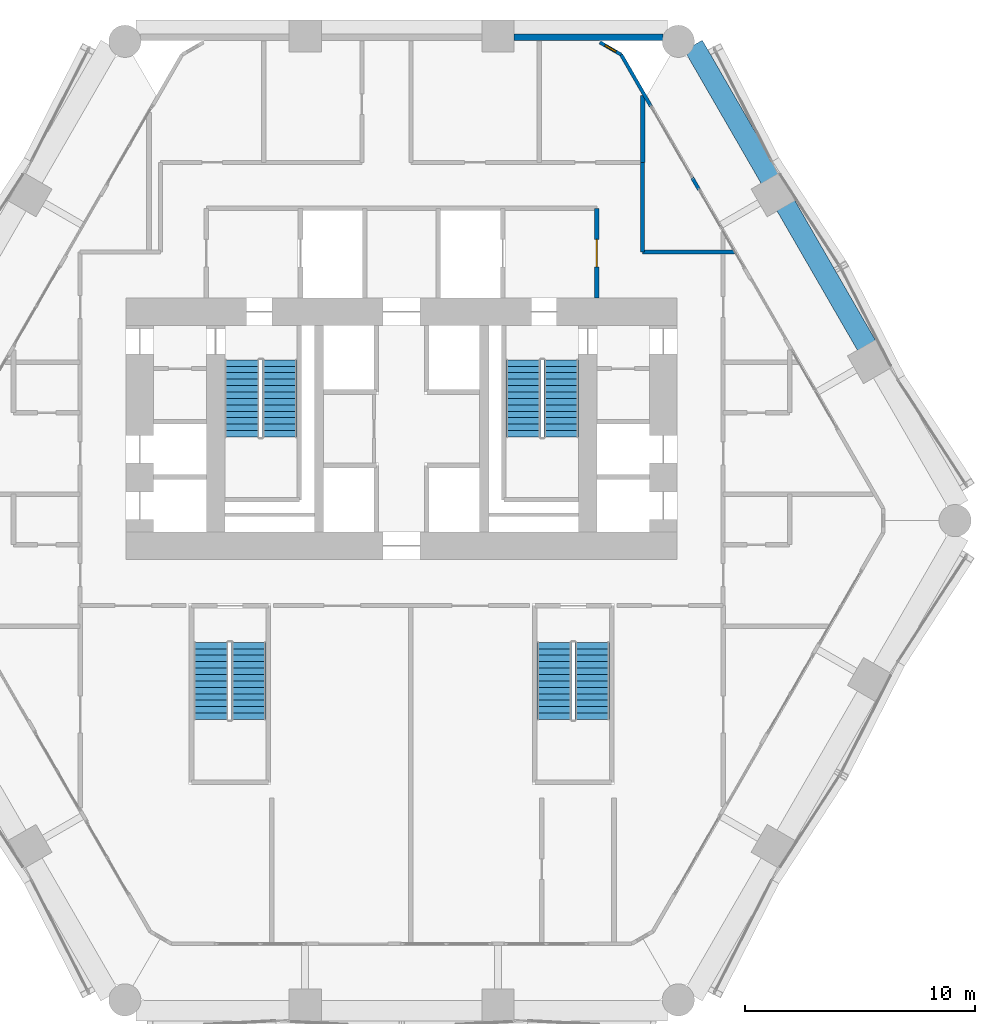
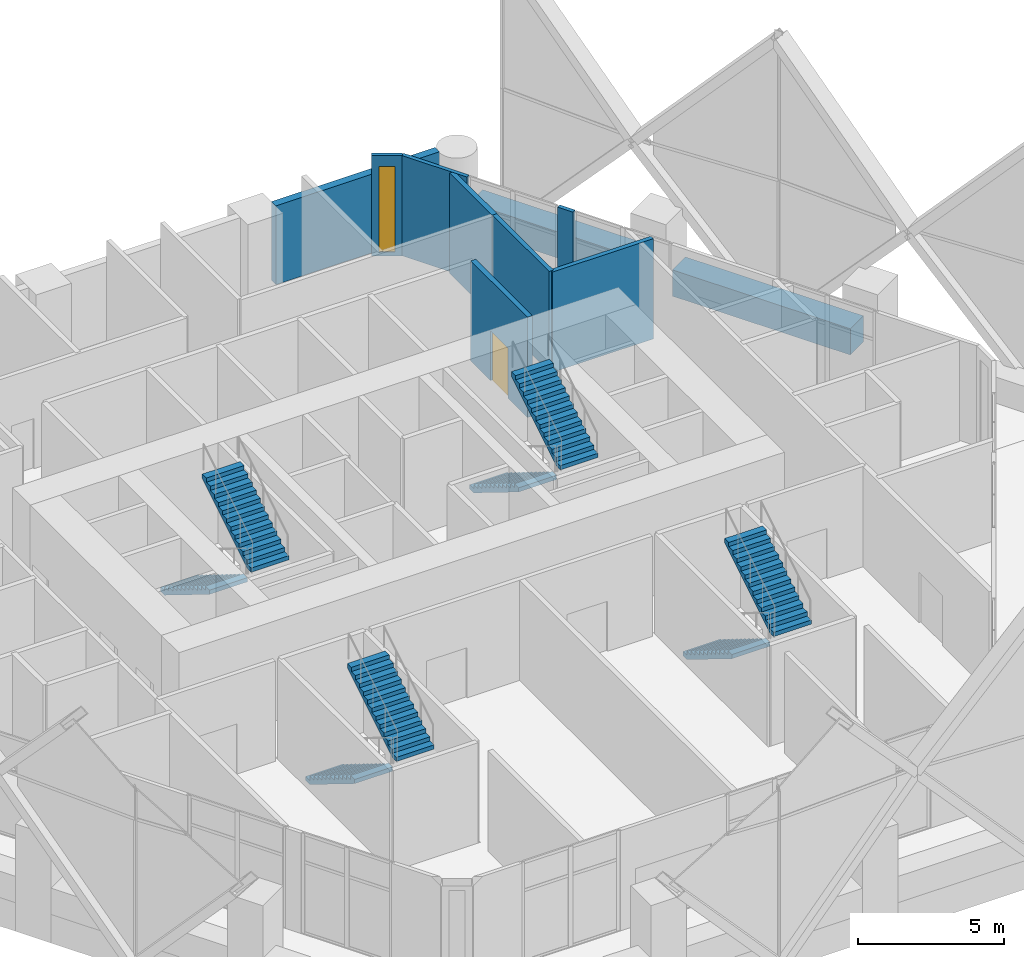
# One storey, part 40 of 46: 10 walls, 8 stair flights, 1 door, 1 window, 2 openings, 4 elements without a shape of their own.
"""IFC4 building model written with IfcOpenShell, lengths in metres."""

from ifc_helpers import new_model, si_unit, direction, frame, frame_2d, origin, place, context, subcontext, project, spatial, polyline, rectangle, outline, extrude, material, layer, layer_set, type_object, element, fill, aggregate, save


model = new_model("IFC4")

# Units and contexts
model_context = context("Model", 3, precision=1e-05, world=origin(), true_north=direction((0.0, 1.0)))
body_context = subcontext(model_context, "Body", "Model", "MODEL_VIEW")
ifc_project = project(units=[si_unit("LENGTHUNIT", "METRE"), si_unit("AREAUNIT", "SQUARE_METRE"), si_unit("VOLUMEUNIT", "CUBIC_METRE"), si_unit("PLANEANGLEUNIT", "RADIAN"), si_unit("MASSUNIT", "GRAM", prefix="KILO")], contexts=[model_context])

# Site, building, storey
site_placement = place(None, origin())
site = spatial("IfcSite", under=ifc_project, at=site_placement, CompositionType="ELEMENT")
building_placement = place(site_placement, origin())
building = spatial("IfcBuilding", under=site, at=building_placement, Name="Ostrander Bayou Hotel Tower", CompositionType="ELEMENT")
storey_placement = place(building_placement, frame((0.0, 0.0, 23.5)))
storey = spatial("IfcBuildingStorey", under=building, at=storey_placement, Name="L05", CompositionType="ELEMENT", Elevation=23.5)

# Walls
ifc_material_1 = material(Name="Aluminium framed insulated wall", Category="aluminium")
ifc_layer_1 = layer(ifc_material_1, 0.14990234375)
ifc_layer_set_1 = layer_set([ifc_layer_1], Name="GW1 glass-line wall 150 mm")
wall_type_1 = type_object("IfcWallType", Name="GW1 glass-line wall 150 mm", PredefinedType="SOLIDWALL", material=ifc_layer_set_1)
wall_1_placement = place(storey_placement, frame((10.8564453125, 18.0458984375, 0.0), z_axis=(0.0, 0.0, 1.0), x_axis=(-0.499945140294, 0.866057074734, 0.0)))
element("IfcWall", 1, at=wall_1_placement, inside=storey, type_object=wall_type_1, Name="GW1 L05 NE end 2", PredefinedType="SOLIDWALL", context=body_context, shape_type="SweptSolid", body=[
    extrude(rectangle(XDim=2.593994140625, YDim=0.14990234375, at=frame_2d((1.296875, 0.0))), origin(), (0.0, 0.0, 1.0), 4.199951171875),
])
wall_2_placement = place(storey_placement, frame((12.95654296875, 14.40869140625, 0.0), z_axis=(0.0, 0.0, 1.0), x_axis=(-0.50012165622, 0.865955154139, 0.0)))
element("IfcWall", 2, at=wall_2_placement, inside=storey, type_object=wall_type_1, Name="GW1 L05 NE pier 5", PredefinedType="SOLIDWALL", context=body_context, shape_type="SweptSolid", body=[
    extrude(rectangle(XDim=0.599853515625, YDim=0.14990234375, at=frame_2d((0.2998046875, 0.0))), origin(), (0.0, 0.0, 1.0), 4.199951171875),
])

# Wall, opening, window
wall_3_placement = place(storey_placement, frame((9.5595703125, 20.29248046875, 0.0), z_axis=(0.0, 0.0, 1.0), x_axis=(-0.866048165231, 0.499960573946, 0.0)))
wall_3 = element("IfcWall", 3, at=wall_3_placement, inside=storey, type_object=wall_type_1, Name="GW1 L05 corner 6", PredefinedType="SOLIDWALL", context=body_context, shape_type="SweptSolid", body=[
    extrude(rectangle(XDim=1.06494140625, YDim=0.14990234375, at=frame_2d((0.532470703125, 0.0))), origin(), (0.0, 0.0, 1.0), 4.199951171875),
])
opening_1_placement = place(wall_3_placement, frame((0.257568359375, 0.0, 0.14990234375)))
opening_1 = element("IfcOpeningElement", 4, at=opening_1_placement, cuts=wall_3, Name="Opening W19", PredefinedType="OPENING", context=body_context, shape_type="SweptSolid", body=[
    extrude(rectangle(XDim=0.550048828125, YDim=3.60009765625, at=frame_2d((0.27490234375, 1.800048828125))), frame((0.0, 0.074951171875, 0.0), z_axis=(0.0, -1.0, 0.0), x_axis=(1.0, 0.0, 0.0)), (0.0, 0.0, 1.0), 0.14990234375),
])
ifc_material_2 = material(Name="Aluminium and clear glass", Category="aluminium")
window_type = type_object("IfcWindowType", Name="W19 corner window 550 mm", PartitioningType="SINGLE_PANEL", PredefinedType="WINDOW", material=ifc_material_2)
window_placement = place(opening_1_placement, origin())
window = element("IfcWindow", 5, at=window_placement, inside=storey, type_object=window_type, Name="W19 L05 corner 6", OverallHeight=3.60009765625, OverallWidth=0.550048828125, PartitioningType="SINGLE_PANEL", PredefinedType="WINDOW", context=body_context, shape_type="SweptSolid", body=[
    extrude(rectangle(XDim=0.550048828125, YDim=3.60009765625, at=frame_2d((0.27490234375, 1.800048828125))), frame((0.0, 0.030029296875, 0.0), z_axis=(0.0, -1.0, 0.0), x_axis=(1.0, 0.0, 0.0)), (0.0, 0.0, 1.0), 0.06005859375),
])
fill(opening_1, window)

# Walls
ifc_material_3 = material(Name="Reconstituted stone on masonry backing", Category="masonry")
ifc_layer_2 = layer(ifc_material_3, 0.300048828125)
ifc_layer_set_2 = layer_set([ifc_layer_2], Name="NW1 north stone wall 300 mm")
wall_type_2 = type_object("IfcWallType", Name="NW1 north stone wall 300 mm", PredefinedType="SOLIDWALL", material=ifc_layer_set_2)
wall_4_placement = place(storey_placement, frame((11.376708984375, 21.050048828125, 0.0), z_axis=(0.0, 0.0, 1.0), x_axis=(-1.0, 0.0, 0.0)))
element("IfcWall", 6, at=wall_4_placement, inside=storey, type_object=wall_type_2, Name="NW1 L05 N-1", PredefinedType="SOLIDWALL", context=body_context, shape_type="SweptSolid", body=[
    extrude(rectangle(XDim=6.481201171875, YDim=0.300048828125, at=frame_2d((3.24072265625, 0.0))), origin(), (0.0, 0.0, 1.0), 3.300048828125),
])
ifc_material_4 = material(Name="Concrete f'c 40 MPa", Category="concrete")
ifc_layer_3 = layer(ifc_material_4, 0.89990234375)
ifc_layer_set_3 = layer_set([ifc_layer_3], Name="PA1 stone-faced parapet 900 mm")
wall_type_3 = type_object("IfcWallType", Name="PA1 stone-faced parapet 900 mm", PredefinedType="PARAPET", material=ifc_layer_set_3)
wall_5_placement = place(storey_placement, frame((20.252197265625, 7.621826171875, 0.0), z_axis=(0.0, 0.0, 1.0), x_axis=(-0.499997206141, 0.866027016814, 0.0)))
element("IfcWall", 7, at=wall_5_placement, inside=storey, type_object=wall_type_3, Name="PA1 L05 NE-2", PredefinedType="PARAPET", context=body_context, shape_type="SweptSolid", body=[
    extrude(rectangle(XDim=7.05078125, YDim=0.89990234375, at=frame_2d((3.525390625, 0.0))), origin(), (0.0, 0.0, 1.0), 1.10009765625),
])
wall_6_placement = place(storey_placement, frame((16.056884765625, 14.888671875, 0.0), z_axis=(0.0, 0.0, 1.0), x_axis=(-0.500005133765, 0.866022439784, 0.0)))
element("IfcWall", 8, at=wall_6_placement, inside=storey, type_object=wall_type_3, Name="PA1 L05 NE-3", PredefinedType="PARAPET", context=body_context, shape_type="SweptSolid", body=[
    extrude(rectangle(XDim=6.70361328125, YDim=0.89990234375, at=frame_2d((3.351806640625, 0.0))), origin(), (0.0, 0.0, 1.0), 1.10009765625),
])
ifc_material_5 = material(Name="Gypsum board partition", Category="finish")
ifc_layer_4 = layer(ifc_material_5, 0.199951171875)
ifc_layer_set_4 = layer_set([ifc_layer_4], Name="PT3 demising wall 200 mm acoustic double stud, 1 hour")
wall_type_4 = type_object("IfcWallType", Name="PT3 demising wall 200 mm acoustic double stud, 1 hour", PredefinedType="PARTITIONING", material=ifc_layer_set_4)
wall_7_placement = place(storey_placement, frame((10.5, 15.60009765625, 0.0), z_axis=(0.0, 0.0, 1.0), x_axis=(0.0, 1.0, 0.0)))
element("IfcWall", 9, at=wall_7_placement, inside=storey, type_object=wall_type_4, Name="sw:L05:034", PredefinedType="PARTITIONING", context=body_context, shape_type="SweptSolid", body=[
    extrude(rectangle(XDim=2.908447265625, YDim=0.199951171875, at=frame_2d((1.4541015625, 0.0))), origin(), (0.0, 0.0, 1.0), 4.199951171875),
])
ifc_material_6 = material(Name="Gypsum board partition", Category="finish")
ifc_layer_5 = layer(ifc_material_6, 0.175048828125)
ifc_layer_set_5 = layer_set([ifc_layer_5], Name="PT4 corridor wall 175 mm, 1 hour")
wall_type_5 = type_object("IfcWallType", Name="PT4 corridor wall 175 mm, 1 hour", PredefinedType="PARTITIONING", material=ifc_layer_set_5)
wall_8_placement = place(storey_placement, frame((10.5, 11.699951171875, 0.0), z_axis=(0.0, 0.0, 1.0), x_axis=(1.0, 0.0, 0.0)))
element("IfcWall", 10, at=wall_8_placement, inside=storey, type_object=wall_type_5, Name="sw:L05:005", PredefinedType="PARTITIONING", context=body_context, shape_type="SweptSolid", body=[
    extrude(rectangle(XDim=3.999267578125, YDim=0.175048828125, at=frame_2d((1.99951171875, 0.0))), origin(), (0.0, 0.0, 1.0), 4.199951171875),
])
wall_9_placement = place(storey_placement, frame((10.5, 11.699951171875, 0.0), z_axis=(0.0, 0.0, 1.0), x_axis=(0.0, 1.0, 0.0)))
element("IfcWall", 11, at=wall_9_placement, inside=storey, type_object=wall_type_5, Name="sw:L05:012", PredefinedType="PARTITIONING", context=body_context, shape_type="SweptSolid", body=[
    extrude(rectangle(XDim=3.900146484375, YDim=0.175048828125, at=frame_2d((1.9501953125, 0.0))), origin(), (0.0, 0.0, 1.0), 4.199951171875),
])

# Wall, opening, door
ifc_material_7 = material(Name="Masonry block", Category="masonry")
ifc_layer_6 = layer(ifc_material_7, 0.199951171875)
ifc_layer_set_6 = layer_set([ifc_layer_6], Name="PT5 stair enclosure wall 200 mm masonry, 2 hour")
wall_type_6 = type_object("IfcWallType", Name="PT5 stair enclosure wall 200 mm masonry, 2 hour", PredefinedType="PARTITIONING", material=ifc_layer_set_6)
wall_10_placement = place(storey_placement, frame((8.5, 9.699951171875, 0.0), z_axis=(0.0, 0.0, 1.0), x_axis=(0.0, 1.0, 0.0)))
wall_10 = element("IfcWall", 12, at=wall_10_placement, inside=storey, type_object=wall_type_6, Name="cs:L05:025", PredefinedType="PARTITIONING", context=body_context, shape_type="SweptSolid", body=[
    extrude(rectangle(XDim=3.900146484375, YDim=0.199951171875, at=frame_2d((1.9501953125, 0.0))), origin(), (0.0, 0.0, 1.0), 4.199951171875),
])
opening_2_placement = place(wall_10_placement, frame((1.35009765625, 0.0, 0.0)))
opening_2 = element("IfcOpeningElement", 13, at=opening_2_placement, cuts=wall_10, Name="Opening T05-012", PredefinedType="OPENING", context=body_context, shape_type="SweptSolid", body=[
    extrude(rectangle(XDim=1.199951171875, YDim=2.10009765625, at=frame_2d((0.60009765625, 1.050048828125))), frame((0.0, 0.10009765625, 0.0), z_axis=(0.0, -1.0, 0.0), x_axis=(1.0, 0.0, 0.0)), (0.0, 0.0, 1.0), 0.199951171875),
])
ifc_material_8 = material(Name="Timber door leaf", Category="wood")
door_type = type_object("IfcDoorType", Name="D7 lobby door 1200 x 2100 mm, 1 hour", OperationType="SINGLE_SWING_LEFT", PredefinedType="DOOR", material=ifc_material_8)
door_placement = place(opening_2_placement, origin())
door = element("IfcDoor", 14, at=door_placement, inside=storey, type_object=door_type, Name="dr:L05:012", OperationType="SINGLE_SWING_LEFT", OverallHeight=2.10009765625, OverallWidth=1.199951171875, PredefinedType="DOOR", context=body_context, shape_type="SweptSolid", body=[
    extrude(rectangle(XDim=1.199951171875, YDim=2.10009765625, at=frame_2d((0.60009765625, 1.050048828125))), frame((0.0, 0.02490234375, 0.0), z_axis=(0.0, -1.0, 0.0), x_axis=(1.0, 0.0, 0.0)), (0.0, 0.0, 1.0), 0.050048828125),
])
fill(opening_2, door)

# Stair, stair flights
ifc_material_9 = material(Name="Concrete f'c 45 MPa", Category="concrete")
stair_type = type_object("IfcStairType", Name="ST1 exit stair 1500 mm f'c 45 MPa", PredefinedType="HALF_TURN_STAIR", material=ifc_material_9)
stair_1_placement = place(storey_placement, origin())
stair_1 = element("IfcStair", 15, at=stair_1_placement, inside=storey, type_object=stair_type, Name="L05 exit stair A", PredefinedType="HALF_TURN_STAIR")
ifc_material_10 = material(Name="Concrete f'c 45 MPa", Category="concrete")
stair_flight_type = type_object("IfcStairFlightType", Name="SF1 stair flight 1500 mm f'c 45 MPa", PredefinedType="STRAIGHT", material=ifc_material_10)
stair_flight_1_placement = place(storey_placement, frame((-6.949951171875, 7.0, 0.0), z_axis=(0.0, 0.0, 1.0), x_axis=(0.0, -1.0, 0.0)))
stair_flight_1 = element("IfcStairFlight", 16, at=stair_flight_1_placement, type_object=stair_flight_type, Name="STA flight 1", NumberOfRisers=13, NumberOfTreads=12, PredefinedType="STRAIGHT", RiserHeight=0.173076923, TreadLength=0.28, context=body_context, shape_type="SweptSolid", body=[
    extrude(outline(polyline([(0.0, 0.0), (0.0, 0.173095703125), (0.280029296875, 0.173095703125), (0.280029296875, 0.34619140625), (0.56005859375, 0.34619140625), (0.56005859375, 0.519287109375), (0.840087890625, 0.519287109375), (0.840087890625, 0.6923828125), (1.1201171875, 0.6923828125), (1.1201171875, 0.865478515625), (1.39990234375, 0.865478515625), (1.39990234375, 1.03857421875), (1.679931640625, 1.03857421875), (1.679931640625, 1.21142578125), (1.9599609375, 1.21142578125), (1.9599609375, 1.384521484375), (2.239990234375, 1.384521484375), (2.239990234375, 1.5576171875), (2.52001953125, 1.5576171875), (2.52001953125, 1.730712890625), (2.800048828125, 1.730712890625), (2.800048828125, 1.90380859375), (3.080078125, 1.90380859375), (3.080078125, 2.076904296875), (3.360107421875, 2.076904296875), (3.360107421875, 2.25), (3.360107421875, 1.900634765625), (0.28515625, 0.0), (0.0, 0.0)])), frame((0.0, 0.75, 0.0), z_axis=(0.0, -1.0, 0.0), x_axis=(1.0, 0.0, 0.0)), (0.0, 0.0, 1.0), 1.5),
])
stair_flight_2_placement = place(storey_placement, frame((-5.300048828125, 3.639892578125, 2.25), z_axis=(0.0, 0.0, 1.0), x_axis=(0.0, 1.0, 0.0)))
stair_flight_2 = element("IfcStairFlight", 17, at=stair_flight_2_placement, type_object=stair_flight_type, Name="STA flight 2", NumberOfRisers=13, NumberOfTreads=12, PredefinedType="STRAIGHT", RiserHeight=0.173076923, TreadLength=0.28, context=body_context, shape_type="SweptSolid", body=[
    extrude(outline(polyline([(0.0, 0.0), (0.0, 0.173095703125), (0.280029296875, 0.173095703125), (0.280029296875, 0.34619140625), (0.56005859375, 0.34619140625), (0.56005859375, 0.519287109375), (0.840087890625, 0.519287109375), (0.840087890625, 0.6923828125), (1.1201171875, 0.6923828125), (1.1201171875, 0.865478515625), (1.39990234375, 0.865478515625), (1.39990234375, 1.03857421875), (1.679931640625, 1.03857421875), (1.679931640625, 1.21142578125), (1.9599609375, 1.21142578125), (1.9599609375, 1.384521484375), (2.239990234375, 1.384521484375), (2.239990234375, 1.5576171875), (2.52001953125, 1.5576171875), (2.52001953125, 1.730712890625), (2.800048828125, 1.730712890625), (2.800048828125, 1.90380859375), (3.080078125, 1.90380859375), (3.080078125, 2.076904296875), (3.360107421875, 2.076904296875), (3.360107421875, 2.25), (3.360107421875, 1.900634765625), (0.28515625, 0.0), (0.0, 0.0)])), frame((0.0, 0.75, 0.0), z_axis=(0.0, -1.0, 0.0), x_axis=(1.0, 0.0, 0.0)), (0.0, 0.0, 1.0), 1.5),
])
aggregate(stair_1, [stair_flight_1, stair_flight_2])

stair_2_placement = place(storey_placement, origin())
stair_2 = element("IfcStair", 18, at=stair_2_placement, inside=storey, type_object=stair_type, Name="L05 exit stair B", PredefinedType="HALF_TURN_STAIR")
stair_flight_3_placement = place(storey_placement, frame((5.300048828125, 7.0, 0.0), z_axis=(0.0, 0.0, 1.0), x_axis=(0.0, -1.0, 0.0)))
stair_flight_3 = element("IfcStairFlight", 19, at=stair_flight_3_placement, type_object=stair_flight_type, Name="STB flight 1", NumberOfRisers=13, NumberOfTreads=12, PredefinedType="STRAIGHT", RiserHeight=0.173076923, TreadLength=0.28, context=body_context, shape_type="SweptSolid", body=[
    extrude(outline(polyline([(0.0, 0.0), (0.0, 0.173095703125), (0.280029296875, 0.173095703125), (0.280029296875, 0.34619140625), (0.56005859375, 0.34619140625), (0.56005859375, 0.519287109375), (0.840087890625, 0.519287109375), (0.840087890625, 0.6923828125), (1.1201171875, 0.6923828125), (1.1201171875, 0.865478515625), (1.39990234375, 0.865478515625), (1.39990234375, 1.03857421875), (1.679931640625, 1.03857421875), (1.679931640625, 1.21142578125), (1.9599609375, 1.21142578125), (1.9599609375, 1.384521484375), (2.239990234375, 1.384521484375), (2.239990234375, 1.5576171875), (2.52001953125, 1.5576171875), (2.52001953125, 1.730712890625), (2.800048828125, 1.730712890625), (2.800048828125, 1.90380859375), (3.080078125, 1.90380859375), (3.080078125, 2.076904296875), (3.360107421875, 2.076904296875), (3.360107421875, 2.25), (3.360107421875, 1.900634765625), (0.28515625, 0.0), (0.0, 0.0)])), frame((0.0, 0.75, 0.0), z_axis=(0.0, -1.0, 0.0), x_axis=(1.0, 0.0, 0.0)), (0.0, 0.0, 1.0), 1.5),
])
stair_flight_4_placement = place(storey_placement, frame((6.949951171875, 3.639892578125, 2.25), z_axis=(0.0, 0.0, 1.0), x_axis=(0.0, 1.0, 0.0)))
stair_flight_4 = element("IfcStairFlight", 20, at=stair_flight_4_placement, type_object=stair_flight_type, Name="STB flight 2", NumberOfRisers=13, NumberOfTreads=12, PredefinedType="STRAIGHT", RiserHeight=0.173076923, TreadLength=0.28, context=body_context, shape_type="SweptSolid", body=[
    extrude(outline(polyline([(0.0, 0.0), (0.0, 0.173095703125), (0.280029296875, 0.173095703125), (0.280029296875, 0.34619140625), (0.56005859375, 0.34619140625), (0.56005859375, 0.519287109375), (0.840087890625, 0.519287109375), (0.840087890625, 0.6923828125), (1.1201171875, 0.6923828125), (1.1201171875, 0.865478515625), (1.39990234375, 0.865478515625), (1.39990234375, 1.03857421875), (1.679931640625, 1.03857421875), (1.679931640625, 1.21142578125), (1.9599609375, 1.21142578125), (1.9599609375, 1.384521484375), (2.239990234375, 1.384521484375), (2.239990234375, 1.5576171875), (2.52001953125, 1.5576171875), (2.52001953125, 1.730712890625), (2.800048828125, 1.730712890625), (2.800048828125, 1.90380859375), (3.080078125, 1.90380859375), (3.080078125, 2.076904296875), (3.360107421875, 2.076904296875), (3.360107421875, 2.25), (3.360107421875, 1.900634765625), (0.28515625, 0.0), (0.0, 0.0)])), frame((0.0, 0.75, 0.0), z_axis=(0.0, -1.0, 0.0), x_axis=(1.0, 0.0, 0.0)), (0.0, 0.0, 1.0), 1.5),
])
aggregate(stair_2, [stair_flight_3, stair_flight_4])

stair_3_placement = place(storey_placement, origin())
stair_3 = element("IfcStair", 21, at=stair_3_placement, inside=storey, type_object=stair_type, Name="L05 exit stair C", PredefinedType="HALF_TURN_STAIR")
stair_flight_5_placement = place(storey_placement, frame((6.64990234375, -5.300048828125, 0.0), z_axis=(0.0, 0.0, 1.0), x_axis=(0.0, -1.0, 0.0)))
stair_flight_5 = element("IfcStairFlight", 22, at=stair_flight_5_placement, type_object=stair_flight_type, Name="STC flight 1", NumberOfRisers=13, NumberOfTreads=12, PredefinedType="STRAIGHT", RiserHeight=0.173076923, TreadLength=0.28, context=body_context, shape_type="SweptSolid", body=[
    extrude(outline(polyline([(0.0, 0.0), (0.0, 0.173095703125), (0.280029296875, 0.173095703125), (0.280029296875, 0.34619140625), (0.56005859375, 0.34619140625), (0.56005859375, 0.519287109375), (0.840087890625, 0.519287109375), (0.840087890625, 0.6923828125), (1.1201171875, 0.6923828125), (1.1201171875, 0.865478515625), (1.39990234375, 0.865478515625), (1.39990234375, 1.03857421875), (1.679931640625, 1.03857421875), (1.679931640625, 1.21142578125), (1.9599609375, 1.21142578125), (1.9599609375, 1.384521484375), (2.239990234375, 1.384521484375), (2.239990234375, 1.5576171875), (2.52001953125, 1.5576171875), (2.52001953125, 1.730712890625), (2.800048828125, 1.730712890625), (2.800048828125, 1.90380859375), (3.080078125, 1.90380859375), (3.080078125, 2.076904296875), (3.360107421875, 2.076904296875), (3.360107421875, 2.25), (3.360107421875, 1.900634765625), (0.28515625, 0.0), (0.0, 0.0)])), frame((0.0, 0.75, 0.0), z_axis=(0.0, -1.0, 0.0), x_axis=(1.0, 0.0, 0.0)), (0.0, 0.0, 1.0), 1.5),
])
stair_flight_6_placement = place(storey_placement, frame((8.300048828125, -8.659912109375, 2.25), z_axis=(0.0, 0.0, 1.0), x_axis=(0.0, 1.0, 0.0)))
stair_flight_6 = element("IfcStairFlight", 23, at=stair_flight_6_placement, type_object=stair_flight_type, Name="STC flight 2", NumberOfRisers=13, NumberOfTreads=12, PredefinedType="STRAIGHT", RiserHeight=0.173076923, TreadLength=0.28, context=body_context, shape_type="SweptSolid", body=[
    extrude(outline(polyline([(0.0, 0.0), (0.0, 0.173095703125), (0.280029296875, 0.173095703125), (0.280029296875, 0.34619140625), (0.56005859375, 0.34619140625), (0.56005859375, 0.519287109375), (0.840087890625, 0.519287109375), (0.840087890625, 0.6923828125), (1.1201171875, 0.6923828125), (1.1201171875, 0.865478515625), (1.39990234375, 0.865478515625), (1.39990234375, 1.03857421875), (1.679931640625, 1.03857421875), (1.679931640625, 1.21142578125), (1.9599609375, 1.21142578125), (1.9599609375, 1.384521484375), (2.239990234375, 1.384521484375), (2.239990234375, 1.5576171875), (2.52001953125, 1.5576171875), (2.52001953125, 1.730712890625), (2.800048828125, 1.730712890625), (2.800048828125, 1.90380859375), (3.080078125, 1.90380859375), (3.080078125, 2.076904296875), (3.360107421875, 2.076904296875), (3.360107421875, 2.25), (3.360107421875, 1.900634765625), (0.28515625, 0.0), (0.0, 0.0)])), frame((0.0, 0.75, 0.0), z_axis=(0.0, -1.0, 0.0), x_axis=(1.0, 0.0, 0.0)), (0.0, 0.0, 1.0), 1.5),
])
aggregate(stair_3, [stair_flight_5, stair_flight_6])

stair_4_placement = place(storey_placement, origin())
stair_4 = element("IfcStair", 24, at=stair_4_placement, inside=storey, type_object=stair_type, Name="L05 exit stair D", PredefinedType="HALF_TURN_STAIR")
stair_flight_7_placement = place(storey_placement, frame((-8.300048828125, -5.300048828125, 0.0), z_axis=(0.0, 0.0, 1.0), x_axis=(0.0, -1.0, 0.0)))
stair_flight_7 = element("IfcStairFlight", 25, at=stair_flight_7_placement, type_object=stair_flight_type, Name="STD flight 1", NumberOfRisers=13, NumberOfTreads=12, PredefinedType="STRAIGHT", RiserHeight=0.173076923, TreadLength=0.28, context=body_context, shape_type="SweptSolid", body=[
    extrude(outline(polyline([(0.0, 0.0), (0.0, 0.173095703125), (0.280029296875, 0.173095703125), (0.280029296875, 0.34619140625), (0.56005859375, 0.34619140625), (0.56005859375, 0.519287109375), (0.840087890625, 0.519287109375), (0.840087890625, 0.6923828125), (1.1201171875, 0.6923828125), (1.1201171875, 0.865478515625), (1.39990234375, 0.865478515625), (1.39990234375, 1.03857421875), (1.679931640625, 1.03857421875), (1.679931640625, 1.21142578125), (1.9599609375, 1.21142578125), (1.9599609375, 1.384521484375), (2.239990234375, 1.384521484375), (2.239990234375, 1.5576171875), (2.52001953125, 1.5576171875), (2.52001953125, 1.730712890625), (2.800048828125, 1.730712890625), (2.800048828125, 1.90380859375), (3.080078125, 1.90380859375), (3.080078125, 2.076904296875), (3.360107421875, 2.076904296875), (3.360107421875, 2.25), (3.360107421875, 1.900634765625), (0.28515625, 0.0), (0.0, 0.0)])), frame((0.0, 0.75, 0.0), z_axis=(0.0, -1.0, 0.0), x_axis=(1.0, 0.0, 0.0)), (0.0, 0.0, 1.0), 1.5),
])
stair_flight_8_placement = place(storey_placement, frame((-6.64990234375, -8.659912109375, 2.25), z_axis=(0.0, 0.0, 1.0), x_axis=(0.0, 1.0, 0.0)))
stair_flight_8 = element("IfcStairFlight", 26, at=stair_flight_8_placement, type_object=stair_flight_type, Name="STD flight 2", NumberOfRisers=13, NumberOfTreads=12, PredefinedType="STRAIGHT", RiserHeight=0.173076923, TreadLength=0.28, context=body_context, shape_type="SweptSolid", body=[
    extrude(outline(polyline([(0.0, 0.0), (0.0, 0.173095703125), (0.280029296875, 0.173095703125), (0.280029296875, 0.34619140625), (0.56005859375, 0.34619140625), (0.56005859375, 0.519287109375), (0.840087890625, 0.519287109375), (0.840087890625, 0.6923828125), (1.1201171875, 0.6923828125), (1.1201171875, 0.865478515625), (1.39990234375, 0.865478515625), (1.39990234375, 1.03857421875), (1.679931640625, 1.03857421875), (1.679931640625, 1.21142578125), (1.9599609375, 1.21142578125), (1.9599609375, 1.384521484375), (2.239990234375, 1.384521484375), (2.239990234375, 1.5576171875), (2.52001953125, 1.5576171875), (2.52001953125, 1.730712890625), (2.800048828125, 1.730712890625), (2.800048828125, 1.90380859375), (3.080078125, 1.90380859375), (3.080078125, 2.076904296875), (3.360107421875, 2.076904296875), (3.360107421875, 2.25), (3.360107421875, 1.900634765625), (0.28515625, 0.0), (0.0, 0.0)])), frame((0.0, 0.75, 0.0), z_axis=(0.0, -1.0, 0.0), x_axis=(1.0, 0.0, 0.0)), (0.0, 0.0, 1.0), 1.5),
])
aggregate(stair_4, [stair_flight_7, stair_flight_8])

save(model, "model.ifc")
